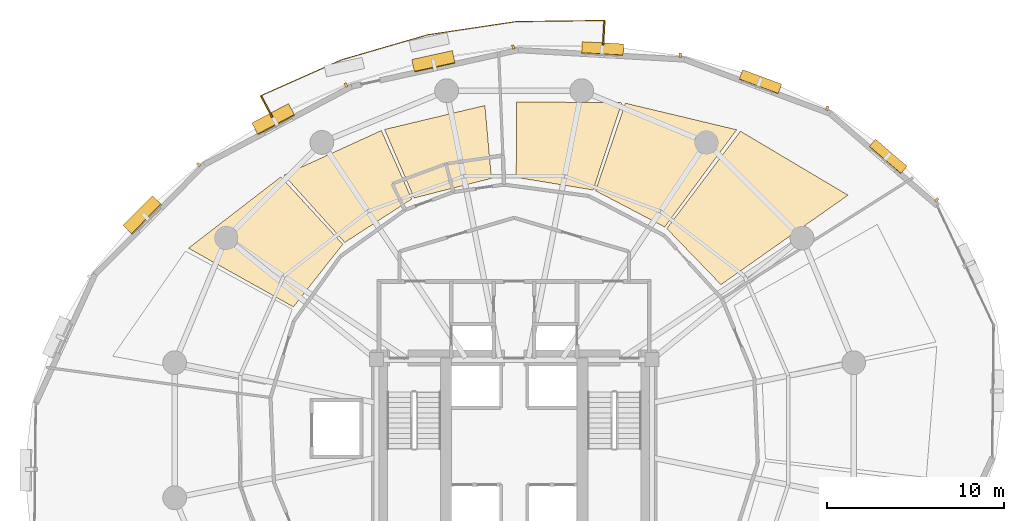
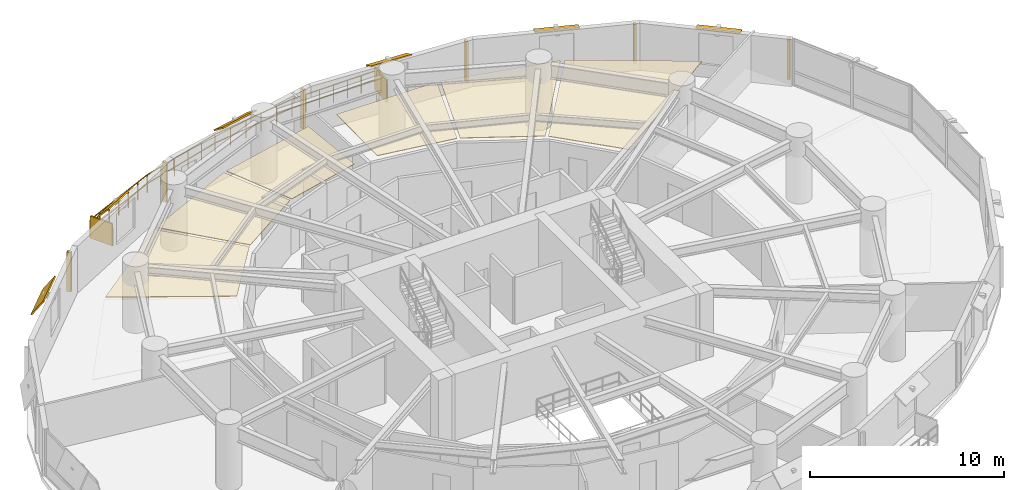
# One storey, part 17 of 17: 14 shading devices, 6 coverings, 1 railing.
"""IFC4 building model written with IfcOpenShell, lengths in metres."""

from ifc_helpers import new_model, si_unit, direction, frame, origin, origin_2d, place, context, subcontext, project, spatial, polyline, rectangle, outline, extrude, material, layer, layer_set, type_object, element, save


model = new_model("IFC4")

# Units and contexts
model_context = context("Model", 3, precision=1e-05, world=origin(), true_north=direction((0.0, 1.0)))
body_context = subcontext(model_context, "Body", "Model", "MODEL_VIEW")
ifc_project = project(units=[si_unit("LENGTHUNIT", "METRE"), si_unit("AREAUNIT", "SQUARE_METRE"), si_unit("VOLUMEUNIT", "CUBIC_METRE"), si_unit("PLANEANGLEUNIT", "RADIAN"), si_unit("MASSUNIT", "GRAM", prefix="KILO"), si_unit("THERMODYNAMICTEMPERATUREUNIT", "KELVIN"), si_unit("POWERUNIT", "WATT")], contexts=[model_context])

# Site, building, storey
site_placement = place(None, origin())
site = spatial("IfcSite", under=ifc_project, at=site_placement, CompositionType="ELEMENT")
building_placement = place(site_placement, origin())
building = spatial("IfcBuilding", under=site, at=building_placement, Name="Ocrelia Relay Tower", CompositionType="ELEMENT")
storey_placement = place(building_placement, frame((0.0, 0.0, 84.60009765625)))
storey = spatial("IfcBuildingStorey", under=building, at=storey_placement, Name="L19", CompositionType="ELEMENT", Elevation=84.60009765625)

# Coverings
ifc_material_1 = material(Name="Mineral-fiber acoustic ceiling tile", Category="gypsum")
ifc_layer_1 = layer(ifc_material_1, 0.0400390625, Name="Mineral-fiber acoustic ceiling tile")
ifc_layer_set_1 = layer_set([ifc_layer_1], Name="Mineral-fiber acoustic ceiling tile")
covering_type = type_object("IfcCoveringType", Name="COV-CEIL-ACOUSTIC", PredefinedType="CEILING", material=ifc_layer_set_1)
covering_1_placement = place(storey_placement, frame((0.0, 0.0, 2.8798828125)))
element("IfcCovering", 1, at=covering_1_placement, inside=storey, type_object=covering_type, Name="L19 Operations Control Office Suspended Ceiling 1", PredefinedType="CEILING", context=body_context, shape_type="SweptSolid", body=[
    extrude(outline(polyline([(32.714599609375, 40.26220703125), (32.3427734375, 44.38818359375), (26.664794921875, 43.032470703125), (28.335693359375, 39.152099609375), (32.714599609375, 40.26220703125)])), origin(), (0.0, 0.0, 1.0), 0.0400390625),
])
covering_2_placement = place(storey_placement, frame((0.0, 0.0, 2.8798828125)))
element("IfcCovering", 2, at=covering_2_placement, inside=storey, type_object=covering_type, Name="L19 Operations Control Office Suspended Ceiling 2", PredefinedType="CEILING", context=body_context, shape_type="SweptSolid", body=[
    extrude(outline(polyline([(28.198486328125, 39.092041015625), (26.47998046875, 42.969482421875), (20.966796875, 40.449462890625), (24.40869140625, 36.633544921875), (28.198486328125, 39.092041015625)])), origin(), (0.0, 0.0, 1.0), 0.0400390625),
])
covering_3_placement = place(storey_placement, frame((0.0, 0.0, 2.8798828125)))
element("IfcCovering", 3, at=covering_3_placement, inside=storey, type_object=covering_type, Name="L19 Operations Control Office Suspended Ceiling 3", PredefinedType="CEILING", context=body_context, shape_type="SweptSolid", body=[
    extrude(outline(polyline([(24.2978515625, 36.532470703125), (20.787109375, 40.343505859375), (15.556640625, 36.3076171875), (21.499755859375, 32.986083984375), (24.2978515625, 36.532470703125)])), origin(), (0.0, 0.0, 1.0), 0.0400390625),
])
covering_4_placement = place(storey_placement, frame((0.0, 0.0, 2.8798828125)))
element("IfcCovering", 4, at=covering_4_placement, inside=storey, type_object=covering_type, Name="L19 Innovation Club Room Suspended Ceiling 1", PredefinedType="CEILING", context=body_context, shape_type="SweptSolid", body=[
    extrude(outline(polyline([(45.708740234375, 34.244384765625), (52.903076171875, 39.31005859375), (46.813720703125, 42.9326171875), (42.641357421875, 37.4189453125), (45.708740234375, 34.244384765625)])), origin(), (0.0, 0.0, 1.0), 0.0400390625),
])
covering_5_placement = place(storey_placement, frame((0.0, 0.0, 2.8798828125)))
element("IfcCovering", 5, at=covering_5_placement, inside=storey, type_object=covering_type, Name="L19 Innovation Club Room Suspended Ceiling 2", PredefinedType="CEILING", context=body_context, shape_type="SweptSolid", body=[
    extrude(outline(polyline([(42.521240234375, 37.5087890625), (46.598388671875, 43.015380859375), (40.298828125, 44.5205078125), (38.61083984375, 39.557373046875), (42.521240234375, 37.5087890625)])), origin(), (0.0, 0.0, 1.0), 0.0400390625),
])
covering_6_placement = place(storey_placement, frame((0.0, 0.0, 2.8798828125)))
element("IfcCovering", 6, at=covering_6_placement, inside=storey, type_object=covering_type, Name="L19 Innovation Club Room Suspended Ceiling 3", PredefinedType="CEILING", context=body_context, shape_type="SweptSolid", body=[
    extrude(outline(polyline([(38.46875, 39.60498046875), (40.0908203125, 44.543701171875), (34.14599609375, 44.597412109375), (34.112548828125, 40.319580078125), (38.46875, 39.60498046875)])), origin(), (0.0, 0.0, 1.0), 0.0400390625),
])

# Railing
ifc_material_2 = material(Name="Steel S355 balustrade", Category="steel")
railing_type = type_object("IfcRailingType", Name="RL-EXT-GUARD-1150", PredefinedType="GUARDRAIL", material=ifc_material_2)
railing_placement = place(storey_placement, frame((20.309814453125, 43.714111328125, 0.0)))
element("IfcRailing", 7, at=railing_placement, inside=storey, type_object=railing_type, Name="L19 Loggia Balcony Guard Rail B1", PredefinedType="GUARDRAIL", context=body_context, shape_type="SweptSolid", body=[
    extrude(rectangle(XDim=0.048095703125, YDim=0.048095703125, at=origin_2d()), frame((0.0, 0.0, 1.1259765625), z_axis=(-0.46970594774, 0.882822928258, 0.0), x_axis=(-0.882822928258, -0.46970594774, 0.0)), (0.0, 0.0, 1.0), 1.3935546875),
    extrude(rectangle(XDim=0.048095703125, YDim=0.048095703125, at=origin_2d()), frame((0.0, 0.0, 0.574951171875), z_axis=(-0.46970594774, 0.882822928258, 0.0), x_axis=(-0.882822928258, -0.46970594774, 0.0)), (0.0, 0.0, 1.0), 1.3935546875),
    extrude(rectangle(XDim=0.048095703125, YDim=0.048095703125, at=origin_2d()), frame((-0.654541015625, 1.230224609375, 1.1259765625), z_axis=(0.913727126877, 0.406328361808, 0.0), x_axis=(-0.406328361808, 0.913727126877, 0.0)), (0.0, 0.0, 1.0), 2.5048828125),
    extrude(rectangle(XDim=0.048095703125, YDim=0.048095703125, at=origin_2d()), frame((-0.654541015625, 1.230224609375, 0.574951171875), z_axis=(0.913727126877, 0.406328361808, 0.0), x_axis=(-0.406328361808, 0.913727126877, 0.0)), (0.0, 0.0, 1.0), 2.5048828125),
    extrude(rectangle(XDim=0.048095703125, YDim=0.048095703125, at=origin_2d()), frame((1.63427734375, 2.248046875, 1.1259765625), z_axis=(0.913690938827, 0.40640972959, 0.0), x_axis=(-0.40640972959, 0.913690938827, 0.0)), (0.0, 0.0, 1.0), 2.505126953125),
    extrude(rectangle(XDim=0.048095703125, YDim=0.048095703125, at=origin_2d()), frame((1.63427734375, 2.248046875, 0.574951171875), z_axis=(0.913690938827, 0.40640972959, 0.0), x_axis=(-0.40640972959, 0.913690938827, 0.0)), (0.0, 0.0, 1.0), 2.505126953125),
    extrude(rectangle(XDim=0.048095703125, YDim=0.048095703125, at=origin_2d()), frame((3.923095703125, 3.26611328125, 1.1259765625), z_axis=(0.960325408585, 0.278881891893, 0.0), x_axis=(-0.278881891893, 0.960325408585, 0.0)), (0.0, 0.0, 1.0), 5.065185546875),
    extrude(rectangle(XDim=0.048095703125, YDim=0.048095703125, at=origin_2d()), frame((3.923095703125, 3.26611328125, 0.574951171875), z_axis=(0.960325408585, 0.278881891893, 0.0), x_axis=(-0.278881891893, 0.960325408585, 0.0)), (0.0, 0.0, 1.0), 5.065185546875),
    extrude(rectangle(XDim=0.048095703125, YDim=0.048095703125, at=origin_2d()), frame((8.787353515625, 4.6787109375, 1.1259765625), z_axis=(0.988997786574, 0.147930315186, 0.0), x_axis=(-0.147930315186, 0.988997786574, 0.0)), (0.0, 0.0, 1.0), 5.06494140625),
    extrude(rectangle(XDim=0.048095703125, YDim=0.048095703125, at=origin_2d()), frame((8.787353515625, 4.6787109375, 0.574951171875), z_axis=(0.988997786574, 0.147930315186, 0.0), x_axis=(-0.147930315186, 0.988997786574, 0.0)), (0.0, 0.0, 1.0), 5.06494140625),
    extrude(rectangle(XDim=0.048095703125, YDim=0.048095703125, at=origin_2d()), frame((13.796630859375, 5.427978515625, 1.1259765625), z_axis=(0.999920967956, 0.012572105737, 0.0), x_axis=(-0.012572105737, 0.999920967956, 0.0)), (0.0, 0.0, 1.0), 2.505126953125),
    extrude(rectangle(XDim=0.048095703125, YDim=0.048095703125, at=origin_2d()), frame((13.796630859375, 5.427978515625, 0.574951171875), z_axis=(0.999920967956, 0.012572105737, 0.0), x_axis=(-0.012572105737, 0.999920967956, 0.0)), (0.0, 0.0, 1.0), 2.505126953125),
    extrude(rectangle(XDim=0.048095703125, YDim=0.048095703125, at=origin_2d()), frame((16.301513671875, 5.45947265625, 1.1259765625), z_axis=(0.999919738051, 0.012669548338, 0.0), x_axis=(-0.012669548338, 0.999919738051, 0.0)), (0.0, 0.0, 1.0), 2.505126953125),
    extrude(rectangle(XDim=0.048095703125, YDim=0.048095703125, at=origin_2d()), frame((16.301513671875, 5.45947265625, 0.574951171875), z_axis=(0.999919738051, 0.012669548338, 0.0), x_axis=(-0.012669548338, 0.999919738051, 0.0)), (0.0, 0.0, 1.0), 2.505126953125),
    extrude(rectangle(XDim=0.048095703125, YDim=0.048095703125, at=origin_2d()), frame((18.806396484375, 5.4912109375, 1.1259765625), z_axis=(-0.057992791786, -0.998317001809, 0.0), x_axis=(0.998317001809, -0.057992791786, 0.0)), (0.0, 0.0, 1.0), 1.3935546875),
    extrude(rectangle(XDim=0.048095703125, YDim=0.048095703125, at=origin_2d()), frame((18.806396484375, 5.4912109375, 0.574951171875), z_axis=(-0.057992791786, -0.998317001809, 0.0), x_axis=(0.998317001809, -0.057992791786, 0.0)), (0.0, 0.0, 1.0), 1.3935546875),
    extrude(rectangle(XDim=0.0419921875, YDim=0.0419921875, at=origin_2d()), origin(), (0.0, 0.0, 1.0), 1.101806640625),
    extrude(rectangle(XDim=0.0419921875, YDim=0.0419921875, at=origin_2d()), frame((-0.3271484375, 0.615234375, 0.0)), (0.0, 0.0, 1.0), 1.101806640625),
    extrude(rectangle(XDim=0.0419921875, YDim=0.0419921875, at=origin_2d()), frame((-0.654541015625, 1.230224609375, 0.0)), (0.0, 0.0, 1.0), 1.101806640625),
    extrude(rectangle(XDim=0.0419921875, YDim=0.0419921875, at=origin_2d()), frame((0.1083984375, 1.569580078125, 0.0)), (0.0, 0.0, 1.0), 1.101806640625),
    extrude(rectangle(XDim=0.0419921875, YDim=0.0419921875, at=origin_2d()), frame((0.871337890625, 1.90869140625, 0.0)), (0.0, 0.0, 1.0), 1.101806640625),
    extrude(rectangle(XDim=0.0419921875, YDim=0.0419921875, at=origin_2d()), frame((1.63427734375, 2.248046875, 0.0)), (0.0, 0.0, 1.0), 1.101806640625),
    extrude(rectangle(XDim=0.0419921875, YDim=0.0419921875, at=origin_2d()), frame((2.397216796875, 2.58740234375, 0.0)), (0.0, 0.0, 1.0), 1.101806640625),
    extrude(rectangle(XDim=0.0419921875, YDim=0.0419921875, at=origin_2d()), frame((3.16015625, 2.9267578125, 0.0)), (0.0, 0.0, 1.0), 1.101806640625),
    extrude(rectangle(XDim=0.0419921875, YDim=0.0419921875, at=origin_2d()), frame((3.923095703125, 3.26611328125, 0.0)), (0.0, 0.0, 1.0), 1.101806640625),
    extrude(rectangle(XDim=0.0419921875, YDim=0.0419921875, at=origin_2d()), frame((4.89599609375, 3.548583984375, 0.0)), (0.0, 0.0, 1.0), 1.101806640625),
    extrude(rectangle(XDim=0.0419921875, YDim=0.0419921875, at=origin_2d()), frame((5.868896484375, 3.8310546875, 0.0)), (0.0, 0.0, 1.0), 1.101806640625),
    extrude(rectangle(XDim=0.0419921875, YDim=0.0419921875, at=origin_2d()), frame((6.841552734375, 4.11376953125, 0.0)), (0.0, 0.0, 1.0), 1.101806640625),
    extrude(rectangle(XDim=0.0419921875, YDim=0.0419921875, at=origin_2d()), frame((7.814453125, 4.396240234375, 0.0)), (0.0, 0.0, 1.0), 1.101806640625),
    extrude(rectangle(XDim=0.0419921875, YDim=0.0419921875, at=origin_2d()), frame((8.787353515625, 4.6787109375, 0.0)), (0.0, 0.0, 1.0), 1.101806640625),
    extrude(rectangle(XDim=0.0419921875, YDim=0.0419921875, at=origin_2d()), frame((9.789306640625, 4.82861328125, 0.0)), (0.0, 0.0, 1.0), 1.101806640625),
    extrude(rectangle(XDim=0.0419921875, YDim=0.0419921875, at=origin_2d()), frame((10.791015625, 4.978515625, 0.0)), (0.0, 0.0, 1.0), 1.101806640625),
    extrude(rectangle(XDim=0.0419921875, YDim=0.0419921875, at=origin_2d()), frame((11.79296875, 5.128173828125, 0.0)), (0.0, 0.0, 1.0), 1.101806640625),
    extrude(rectangle(XDim=0.0419921875, YDim=0.0419921875, at=origin_2d()), frame((12.794677734375, 5.278076171875, 0.0)), (0.0, 0.0, 1.0), 1.101806640625),
    extrude(rectangle(XDim=0.0419921875, YDim=0.0419921875, at=origin_2d()), frame((13.796630859375, 5.427978515625, 0.0)), (0.0, 0.0, 1.0), 1.101806640625),
    extrude(rectangle(XDim=0.0419921875, YDim=0.0419921875, at=origin_2d()), frame((14.631591796875, 5.4384765625, 0.0)), (0.0, 0.0, 1.0), 1.101806640625),
    extrude(rectangle(XDim=0.0419921875, YDim=0.0419921875, at=origin_2d()), frame((15.466552734375, 5.448974609375, 0.0)), (0.0, 0.0, 1.0), 1.101806640625),
    extrude(rectangle(XDim=0.0419921875, YDim=0.0419921875, at=origin_2d()), frame((16.301513671875, 5.45947265625, 0.0)), (0.0, 0.0, 1.0), 1.101806640625),
    extrude(rectangle(XDim=0.0419921875, YDim=0.0419921875, at=origin_2d()), frame((17.136474609375, 5.469970703125, 0.0)), (0.0, 0.0, 1.0), 1.101806640625),
    extrude(rectangle(XDim=0.0419921875, YDim=0.0419921875, at=origin_2d()), frame((17.971435546875, 5.480712890625, 0.0)), (0.0, 0.0, 1.0), 1.101806640625),
    extrude(rectangle(XDim=0.0419921875, YDim=0.0419921875, at=origin_2d()), frame((18.806396484375, 5.4912109375, 0.0)), (0.0, 0.0, 1.0), 1.101806640625),
    extrude(rectangle(XDim=0.0419921875, YDim=0.0419921875, at=origin_2d()), frame((18.76611328125, 4.795654296875, 0.0)), (0.0, 0.0, 1.0), 1.101806640625),
    extrude(rectangle(XDim=0.0419921875, YDim=0.0419921875, at=origin_2d()), frame((18.7255859375, 4.10009765625, 0.0)), (0.0, 0.0, 1.0), 1.101806640625),
])

# Shading devices
ifc_material_3 = material(Name="Perforated oxide terracotta solar screen", Category="masonry")
ifc_layer_2 = layer(ifc_material_3, 0.090087890625, Name="Perforated oxide terracotta solar screen")
ifc_layer_set_2 = layer_set([ifc_layer_2], Name="Perforated oxide terracotta solar screen")
shading_device_type_1 = type_object("IfcShadingDeviceType", Name="SH-BALC-SCREEN", PredefinedType="USERDEFINED", material=ifc_layer_set_2)
for number, where, z_axis, x_axis, name in (
    (8, (39.07568359375, 48.509765625, 0.0), (0.0, 0.0, 1.0), (0.05783860789, 0.998325946491, 0.0), "L19 Balcony Perforated Terracotta Screen B1-1"),
    (9, (19.982421875, 44.329345703125, 0.0), (0.0, 0.0, 1.0), (-0.469720089385, 0.88281540405, 0.0), "L19 Balcony Perforated Terracotta Screen B1-2"),
):
    element("IfcShadingDevice", number, at=place(storey_placement, frame(where, z_axis=z_axis, x_axis=x_axis)), inside=storey, type_object=shading_device_type_1, Name=name, ObjectType="SCREEN", PredefinedType="USERDEFINED", context=body_context, shape_type="SweptSolid", body=[
        extrude(rectangle(XDim=1.340087890625, YDim=0.090087890625, at=origin_2d()), origin(), (0.0, 0.0, 1.0), 1.39990234375),
    ])
ifc_material_4 = material(Name="Extruded oxide terracotta vertical baguette", Category="masonry")
shading_device_type_2 = type_object("IfcShadingDeviceType", Name="SH-TERR-BAGUETTE", PredefinedType="USERDEFINED", material=ifc_material_4)
for number, where, z_axis, x_axis, name in (
    (10, (57.928466796875, 39.03466796875, 0.22998046875), (0.0, 0.0, 1.0), (-0.758694890183, 0.651446132547, 0.0), "L19 Oxide Terracotta Vertical Baguette 02"),
    (11, (51.72998046875, 44.228515625, 0.22998046875), (0.0, 0.0, 1.0), (-0.937357586951, 0.348368704371, 0.0), "L19 Oxide Terracotta Vertical Baguette 03"),
    (12, (43.40625, 47.235595703125, 0.22998046875), (0.0, 0.0, 1.0), (-0.998409567499, 0.056376728598, 0.0), "L19 Oxide Terracotta Vertical Baguette 04"),
    (13, (33.945556640625, 47.69677734375, 0.22998046875), (0.0, 0.0, 1.0), (-0.976859322535, -0.213882827681, 0.0), "L19 Oxide Terracotta Vertical Baguette 05"),
    (14, (24.47802734375, 45.54931640625, 0.22998046875), (0.0, 0.0, 1.0), (-0.883502381406, -0.468426666672, 0.0), "L19 Oxide Terracotta Vertical Baguette 06"),
    (15, (16.14404296875, 41.038818359375, 0.22998046875), (0.0, 0.0, 1.0), (-0.70603120564, -0.708180723165, 0.0), "L19 Oxide Terracotta Vertical Baguette 07"),
):
    element("IfcShadingDevice", number, at=place(storey_placement, frame(where, z_axis=z_axis, x_axis=x_axis)), inside=storey, type_object=shading_device_type_2, Name=name, ObjectType="BAGUETTE", PredefinedType="USERDEFINED", context=body_context, shape_type="SweptSolid", body=[
        extrude(rectangle(XDim=0.139892578125, YDim=0.239990234375, at=origin_2d()), origin(), (0.0, 0.0, 1.0), 2.5),
    ])
ifc_material_5 = material(Name="Extruded oxide terracotta fin", Category="masonry")
ifc_layer_3 = layer(ifc_material_5, 0.080078125, Name="Extruded oxide terracotta fin")
ifc_layer_set_3 = layer_set([ifc_layer_3], Name="Extruded oxide terracotta fin")
shading_device_type_3 = type_object("IfcShadingDeviceType", Name="SH-VISOR-FIN-DEEP", PredefinedType="USERDEFINED", material=ifc_layer_set_3)
shading_device_1_placement = place(storey_placement, frame((12.971435546875, 38.155029296875, 2.77734375), z_axis=(-0.585374926298, 0.583598157146, 0.562804927695), x_axis=(-0.70603120564, -0.708180723165, 0.0)))
element("IfcShadingDevice", 16, at=shading_device_1_placement, inside=storey, type_object=shading_device_type_3, Name="L19 Canted Terracotta Sun-Visor Fin 07", ObjectType="FIN", PredefinedType="USERDEFINED", context=body_context, shape_type="SweptSolid", body=[
    extrude(rectangle(XDim=2.35009765625, YDim=1.178955078125, at=origin_2d()), origin(), (0.0, 0.0, 1.0), 0.080078125),
])
ifc_layer_4 = layer(ifc_material_5, 0.080078125, Name="Extruded oxide terracotta fin")
ifc_layer_set_4 = layer_set([ifc_layer_4], Name="Extruded oxide terracotta fin")
shading_device_type_4 = type_object("IfcShadingDeviceType", Name="SH-VISOR-FIN-MED", PredefinedType="USERDEFINED", material=ifc_layer_set_4)
shading_device_2_placement = place(storey_placement, frame((29.432861328125, 46.859619140625, 2.767822265625), z_axis=(-0.127941445012, 0.584342346008, 0.801358227829), x_axis=(-0.976859322535, -0.213882827681, 0.0)))
element("IfcShadingDevice", 17, at=shading_device_2_placement, inside=storey, type_object=shading_device_type_4, Name="L19 Canted Terracotta Sun-Visor Fin 05", ObjectType="FIN", PredefinedType="USERDEFINED", context=body_context, shape_type="SweptSolid", body=[
    extrude(rectangle(XDim=2.35009765625, YDim=0.862060546875, at=origin_2d()), origin(), (0.0, 0.0, 1.0), 0.080078125),
])
shading_device_3_placement = place(storey_placement, frame((20.374755859375, 43.5830078125, 2.772705078125), z_axis=(-0.344253594095, 0.649298794945, 0.678159669868), x_axis=(-0.883502381406, -0.468426666672, 0.0)))
element("IfcShadingDevice", 18, at=shading_device_3_placement, inside=storey, type_object=shading_device_type_4, Name="L19 Canted Terracotta Sun-Visor Fin 06", ObjectType="FIN", PredefinedType="USERDEFINED", context=body_context, shape_type="SweptSolid", body=[
    extrude(rectangle(XDim=2.35009765625, YDim=1.0380859375, at=origin_2d()), origin(), (0.0, 0.0, 1.0), 0.080078125),
])
ifc_layer_5 = layer(ifc_material_5, 0.080078125, Name="Extruded oxide terracotta fin")
ifc_layer_set_5 = layer_set([ifc_layer_5], Name="Extruded oxide terracotta fin")
shading_device_type_5 = type_object("IfcShadingDeviceType", Name="SH-VISOR-FIN-SHAL", PredefinedType="USERDEFINED", material=ifc_layer_set_5)
shading_device_4_placement = place(storey_placement, frame((55.164794921875, 41.493896484375, 2.76171875), z_axis=(0.206275547873, 0.240235065222, 0.948544944527), x_axis=(-0.758694890183, 0.651446132547, 0.0)))
element("IfcShadingDevice", 19, at=shading_device_4_placement, inside=storey, type_object=shading_device_type_5, Name="L19 Canted Terracotta Sun-Visor Fin 02", ObjectType="FIN", PredefinedType="USERDEFINED", context=body_context, shape_type="SweptSolid", body=[
    extrude(rectangle(XDim=2.35009765625, YDim=0.55810546875, at=origin_2d()), origin(), (0.0, 0.0, 1.0), 0.080078125),
])
shading_device_5_placement = place(storey_placement, frame((47.9384765625, 45.716064453125, 2.762451171875), z_axis=(0.125751904372, 0.338361340032, 0.93257603557), x_axis=(-0.937357586951, 0.348368704371, 0.0)))
element("IfcShadingDevice", 20, at=shading_device_5_placement, inside=storey, type_object=shading_device_type_5, Name="L19 Canted Terracotta Sun-Visor Fin 03", ObjectType="FIN", PredefinedType="USERDEFINED", context=body_context, shape_type="SweptSolid", body=[
    extrude(rectangle(XDim=2.35009765625, YDim=0.60302734375, at=origin_2d()), origin(), (0.0, 0.0, 1.0), 0.080078125),
])
shading_device_6_placement = place(storey_placement, frame((39.0107421875, 47.58740234375, 2.76416015625), z_axis=(0.025769685776, 0.456370943659, 0.889416373291), x_axis=(-0.998409567499, 0.056376728598, 0.0)))
element("IfcShadingDevice", 21, at=shading_device_6_placement, inside=storey, type_object=shading_device_type_5, Name="L19 Canted Terracotta Sun-Visor Fin 04", ObjectType="FIN", PredefinedType="USERDEFINED", context=body_context, shape_type="SweptSolid", body=[
    extrude(rectangle(XDim=2.35009765625, YDim=0.702880859375, at=origin_2d()), origin(), (0.0, 0.0, 1.0), 0.080078125),
])

save(model, "model.ifc")
